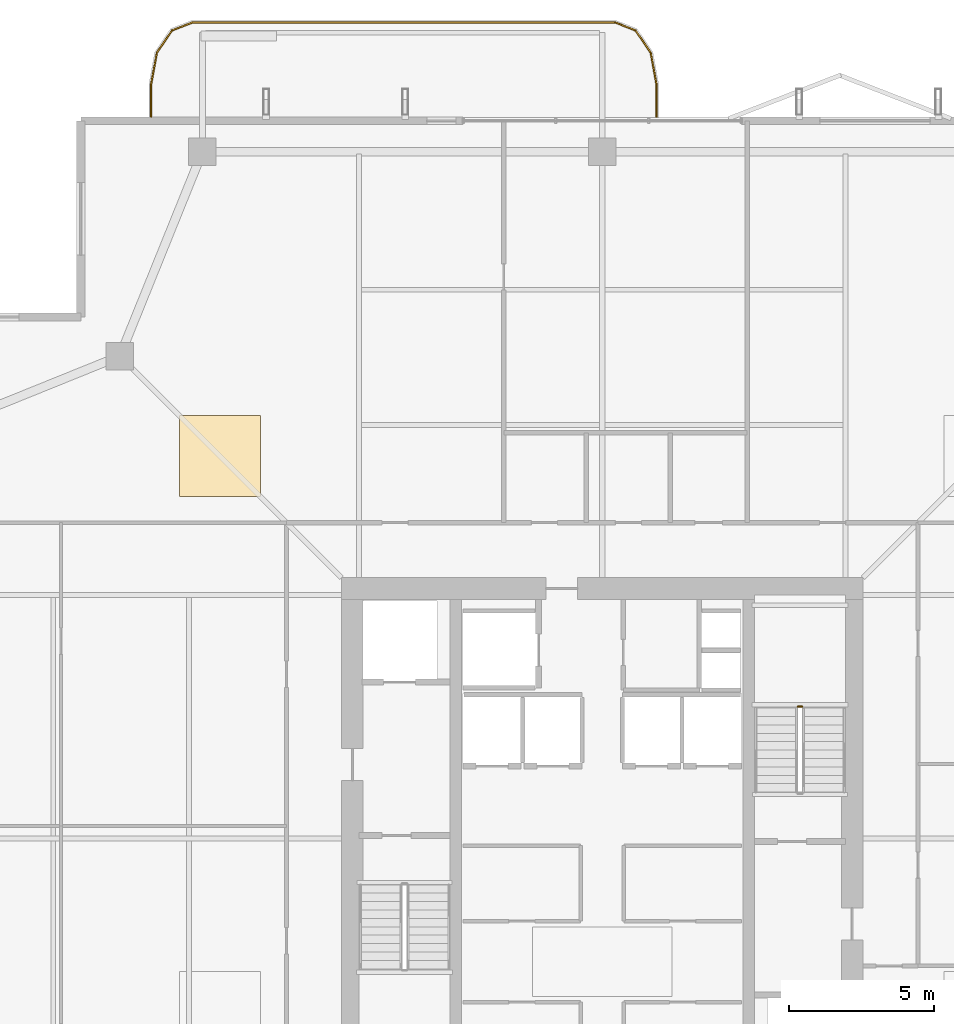
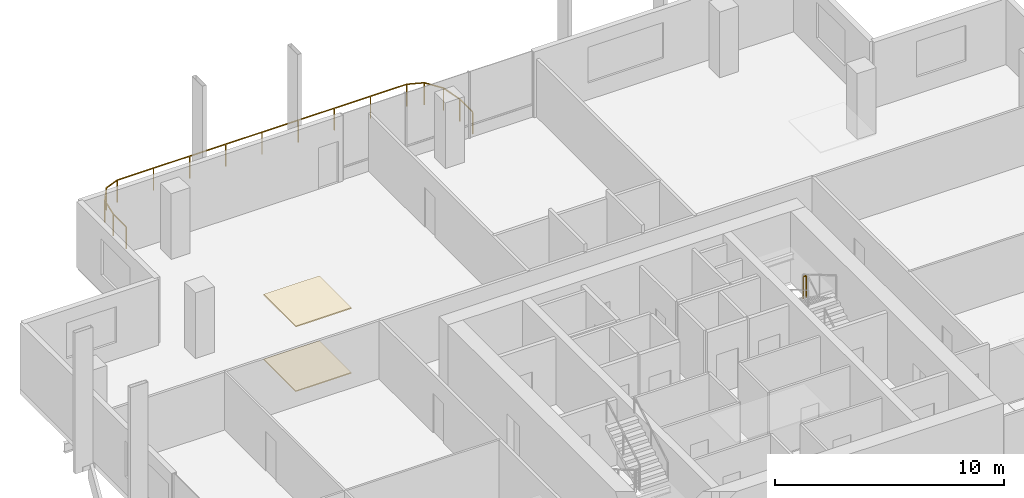
# One storey, part 24 of 25: 2 coverings, 2 railings.
"""IFC4 building model written with IfcOpenShell, lengths in metres."""

from ifc_helpers import new_model, si_unit, direction, frame, origin, origin_2d, place, context, subcontext, project, spatial, polyline, rectangle, outline, extrude, material, layer, layer_set, type_object, element, save


model = new_model("IFC4")

# Units and contexts
model_context = context("Model", 3, precision=1e-05, world=origin(), true_north=direction((0.0, 1.0)))
body_context = subcontext(model_context, "Body", "Model", "MODEL_VIEW")
ifc_project = project(units=[si_unit("LENGTHUNIT", "METRE"), si_unit("AREAUNIT", "SQUARE_METRE"), si_unit("VOLUMEUNIT", "CUBIC_METRE"), si_unit("PLANEANGLEUNIT", "RADIAN"), si_unit("MASSUNIT", "GRAM", prefix="KILO")], contexts=[model_context])

# Site, building, storey
site_placement = place(None, origin())
site = spatial("IfcSite", under=ifc_project, at=site_placement, CompositionType="ELEMENT")
building_placement = place(site_placement, origin())
building = spatial("IfcBuilding", under=site, at=building_placement, Name="Belovzor Exchange Tower", CompositionType="ELEMENT")
storey_placement = place(building_placement, frame((0.0, 0.0, 272.85009765625)))
storey = spatial("IfcBuildingStorey", under=building, at=storey_placement, Name="L68", CompositionType="ELEMENT", Elevation=272.85009765625)

# Railings
ifc_material_1 = material(Name="Stainless Steel and Laminated Safety Glass", Category="steel")
railing_type_1 = type_object("IfcRailingType", Name="Laminated Glass & Stainless Steel Balcony Balustrade 1200", PredefinedType="BALUSTRADE", material=ifc_material_1)
railing_1_placement = place(storey_placement, frame((30.669921875, 53.7099609375, 0.0)))
element("IfcRailing", 1, at=railing_1_placement, inside=storey, type_object=railing_type_1, Name="GR-1 Balcony Balustrade L68 North", PredefinedType="BALUSTRADE", context=body_context, shape_type="SweptSolid", body=[
    extrude(rectangle(XDim=0.048095703125, YDim=0.048095703125, at=origin_2d()), frame((0.0, 0.0, 1.17578125), z_axis=(0.0, 1.0, 0.0), x_axis=(-1.0, 0.0, 0.0)), (0.0, 0.0, 1.0), 1.133056640625),
    extrude(rectangle(XDim=0.048095703125, YDim=0.048095703125, at=origin_2d()), frame((0.0, 1.133056640625, 1.17578125), z_axis=(-0.180122719713, 0.983644145941, 0.0), x_axis=(-0.983644145941, -0.180122719713, 0.0)), (0.0, 0.0, 1.0), 1.09375),
    extrude(rectangle(XDim=0.048095703125, YDim=0.048095703125, at=origin_2d()), frame((-0.197021484375, 2.208984375, 1.17578125), z_axis=(-0.562768145367, 0.826614792125, 0.0), x_axis=(-0.826614792125, -0.562768145367, 0.0)), (0.0, 0.0, 1.0), 0.9326171875),
    extrude(rectangle(XDim=0.048095703125, YDim=0.048095703125, at=origin_2d()), frame((-0.721923828125, 2.97998046875, 1.17578125), z_axis=(-0.930766990125, 0.365612923861, 0.0), x_axis=(-0.365612923861, -0.930766990125, 0.0)), (0.0, 0.0, 1.0), 0.765869140625),
    extrude(rectangle(XDim=0.048095703125, YDim=0.048095703125, at=origin_2d()), frame((-1.434814453125, 3.260009765625, 1.17578125), z_axis=(-1.0, 0.0, 0.0), x_axis=(0.0, -1.0, 0.0)), (0.0, 0.0, 1.0), 14.570068359375),
    extrude(rectangle(XDim=0.048095703125, YDim=0.048095703125, at=origin_2d()), frame((-16.0048828125, 3.260009765625, 1.17578125), z_axis=(-0.930809580156, -0.365504480807, 0.0), x_axis=(0.365504480807, -0.930809580156, 0.0)), (0.0, 0.0, 1.0), 0.76611328125),
    extrude(rectangle(XDim=0.048095703125, YDim=0.048095703125, at=origin_2d()), frame((-16.718017578125, 2.97998046875, 1.17578125), z_axis=(-0.562768145367, -0.826614792125, 0.0), x_axis=(0.826614792125, -0.562768145367, 0.0)), (0.0, 0.0, 1.0), 0.9326171875),
    extrude(rectangle(XDim=0.048095703125, YDim=0.048095703125, at=origin_2d()), frame((-17.242919921875, 2.208984375, 1.17578125), z_axis=(-0.180122719713, -0.983644145941, 0.0), x_axis=(0.983644145941, -0.180122719713, 0.0)), (0.0, 0.0, 1.0), 1.09375),
    extrude(rectangle(XDim=0.048095703125, YDim=0.048095703125, at=origin_2d()), frame((-17.43994140625, 1.133056640625, 1.17578125), z_axis=(0.0, -1.0, 0.0), x_axis=(1.0, 0.0, 0.0)), (0.0, 0.0, 1.0), 1.133056640625),
    extrude(rectangle(XDim=0.0419921875, YDim=0.0419921875, at=origin_2d()), origin(), (0.0, 0.0, 1.0), 1.15185546875),
    extrude(rectangle(XDim=0.0419921875, YDim=0.0419921875, at=origin_2d()), frame((0.0, 1.133056640625, 0.0)), (0.0, 0.0, 1.0), 1.15185546875),
    extrude(rectangle(XDim=0.0419921875, YDim=0.0419921875, at=origin_2d()), frame((-0.197021484375, 2.208984375, 0.0)), (0.0, 0.0, 1.0), 1.15185546875),
    extrude(rectangle(XDim=0.0419921875, YDim=0.0419921875, at=origin_2d()), frame((-0.721923828125, 2.97998046875, 0.0)), (0.0, 0.0, 1.0), 1.15185546875),
    extrude(rectangle(XDim=0.0419921875, YDim=0.0419921875, at=origin_2d()), frame((-1.434814453125, 3.260009765625, 0.0)), (0.0, 0.0, 1.0), 1.15185546875),
    extrude(rectangle(XDim=0.0419921875, YDim=0.0419921875, at=origin_2d()), frame((-3.256103515625, 3.260009765625, 0.0)), (0.0, 0.0, 1.0), 1.15185546875),
    extrude(rectangle(XDim=0.0419921875, YDim=0.0419921875, at=origin_2d()), frame((-5.077392578125, 3.260009765625, 0.0)), (0.0, 0.0, 1.0), 1.15185546875),
    extrude(rectangle(XDim=0.0419921875, YDim=0.0419921875, at=origin_2d()), frame((-6.898681640625, 3.260009765625, 0.0)), (0.0, 0.0, 1.0), 1.15185546875),
    extrude(rectangle(XDim=0.0419921875, YDim=0.0419921875, at=origin_2d()), frame((-8.7197265625, 3.260009765625, 0.0)), (0.0, 0.0, 1.0), 1.15185546875),
    extrude(rectangle(XDim=0.0419921875, YDim=0.0419921875, at=origin_2d()), frame((-10.541015625, 3.260009765625, 0.0)), (0.0, 0.0, 1.0), 1.15185546875),
    extrude(rectangle(XDim=0.0419921875, YDim=0.0419921875, at=origin_2d()), frame((-12.3623046875, 3.260009765625, 0.0)), (0.0, 0.0, 1.0), 1.15185546875),
    extrude(rectangle(XDim=0.0419921875, YDim=0.0419921875, at=origin_2d()), frame((-14.18359375, 3.260009765625, 0.0)), (0.0, 0.0, 1.0), 1.15185546875),
    extrude(rectangle(XDim=0.0419921875, YDim=0.0419921875, at=origin_2d()), frame((-16.0048828125, 3.260009765625, 0.0)), (0.0, 0.0, 1.0), 1.15185546875),
    extrude(rectangle(XDim=0.0419921875, YDim=0.0419921875, at=origin_2d()), frame((-16.718017578125, 2.97998046875, 0.0)), (0.0, 0.0, 1.0), 1.15185546875),
    extrude(rectangle(XDim=0.0419921875, YDim=0.0419921875, at=origin_2d()), frame((-17.242919921875, 2.208984375, 0.0)), (0.0, 0.0, 1.0), 1.15185546875),
    extrude(rectangle(XDim=0.0419921875, YDim=0.0419921875, at=origin_2d()), frame((-17.43994140625, 1.133056640625, 0.0)), (0.0, 0.0, 1.0), 1.15185546875),
    extrude(rectangle(XDim=0.0419921875, YDim=0.0419921875, at=origin_2d()), frame((-17.43994140625, 0.0, 0.0)), (0.0, 0.0, 1.0), 1.15185546875),
])
ifc_material_2 = material(Name="Steel S355", Category="steel")
railing_type_2 = type_object("IfcRailingType", Name="Painted Steel Stairwell Guardrail 1200", PredefinedType="GUARDRAIL", material=ifc_material_2)
railing_2_placement = place(storey_placement, frame((35.699951171875, 33.35009765625, 1.875)))
element("IfcRailing", 2, at=railing_2_placement, inside=storey, type_object=railing_type_2, Name="L68 ST-2 stair guard 2", PredefinedType="GUARDRAIL", context=body_context, shape_type="SweptSolid", body=[
    extrude(rectangle(XDim=0.048095703125, YDim=0.048095703125, at=origin_2d()), frame((0.0, 0.0, 1.17578125), z_axis=(-1.0, 0.0, 0.0), x_axis=(0.0, -1.0, 0.0)), (0.0, 0.0, 1.0), 0.14990234375),
    extrude(rectangle(XDim=0.0419921875, YDim=0.0419921875, at=origin_2d()), origin(), (0.0, 0.0, 1.0), 1.15185546875),
    extrude(rectangle(XDim=0.0419921875, YDim=0.0419921875, at=origin_2d()), frame((-0.14990234375, 0.0, 0.0)), (0.0, 0.0, 1.0), 1.15185546875),
])

# Coverings
ifc_material_3 = material(Name="Perforated Powder-Coated Aluminium", Category="aluminium")
ifc_layer_1 = layer(ifc_material_3, 0.06005859375)
ifc_layer_set_1 = layer_set([ifc_layer_1], Name="Perforated Powder-Coated Aluminium")
covering_type_1 = type_object("IfcCoveringType", Name="Perforated Acoustic Metal Tile Suspended Ceiling 60", PredefinedType="CEILING", material=ifc_layer_set_1)
covering_1_placement = place(storey_placement, frame((0.0, 0.0, 3.43994140625)))
element("IfcCovering", 3, at=covering_1_placement, inside=storey, type_object=covering_type_1, Name="CLG-AC60 Suspended Ceiling CLG-L68-Z2", PredefinedType="CEILING", context=body_context, shape_type="SweptSolid", body=[
    extrude(outline(polyline([(14.199951171875, 40.60009765625), (17.0, 40.60009765625), (17.0, 43.39990234375), (14.199951171875, 43.39990234375), (14.199951171875, 40.60009765625)])), origin(), (0.0, 0.0, 1.0), 0.06005859375),
])
ifc_material_4 = material(Name="Polished Natural Granite Tile", Category="masonry")
ifc_layer_2 = layer(ifc_material_4, 0.050048828125)
ifc_layer_set_2 = layer_set([ifc_layer_2], Name="Polished Natural Granite Tile")
covering_type_2 = type_object("IfcCoveringType", Name="Polished Karelian Granite & Raised Access Floor Finish 50", PredefinedType="FLOORING", material=ifc_layer_set_2)
covering_2_placement = place(storey_placement, origin())
element("IfcCovering", 4, at=covering_2_placement, inside=storey, type_object=covering_type_2, Name="FLR-GR50 Floor Finish FLR-L68-Z2", PredefinedType="FLOORING", context=body_context, shape_type="SweptSolid", body=[
    extrude(outline(polyline([(14.199951171875, 40.60009765625), (17.0, 40.60009765625), (17.0, 43.39990234375), (14.199951171875, 43.39990234375), (14.199951171875, 40.60009765625)])), origin(), (0.0, 0.0, 1.0), 0.0498046875),
])

save(model, "model.ifc")
